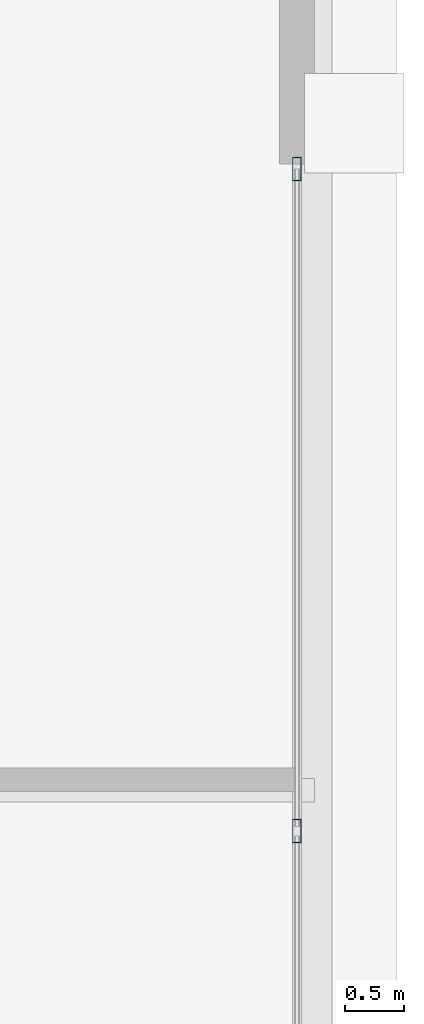
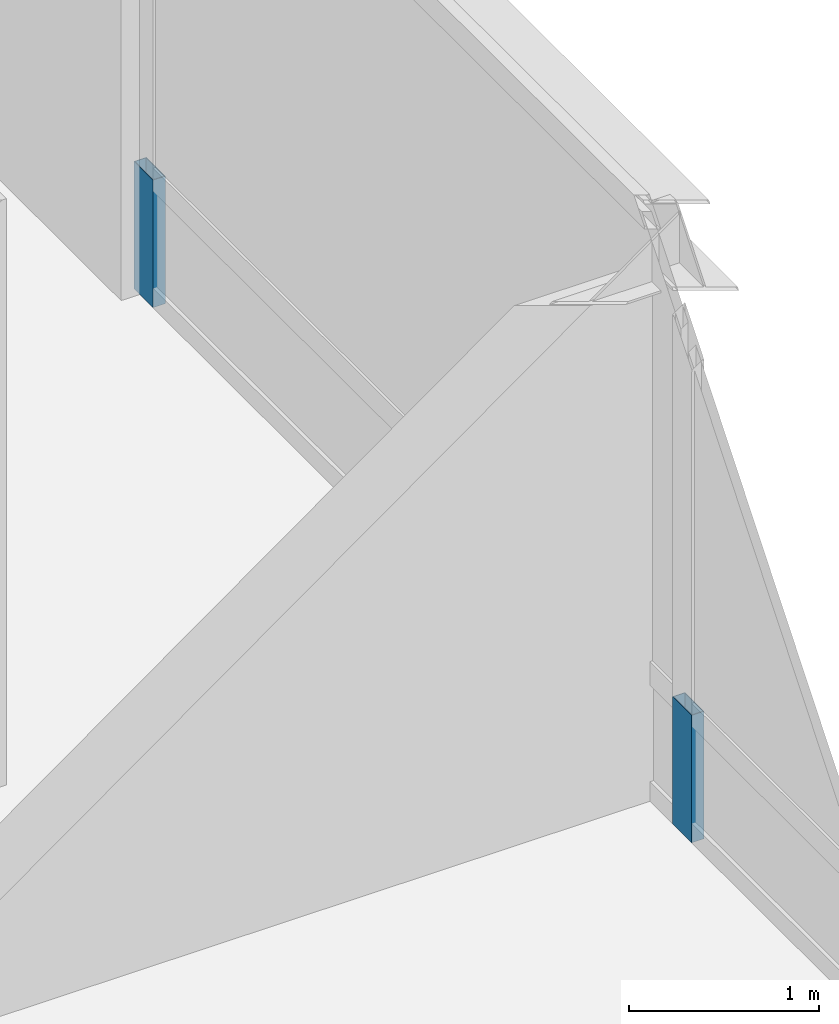
# One storey, part 26 of 34: 2 members, 1 element without a shape of its own.
"""IFC4 building model written with IfcOpenShell, lengths in metres."""

from ifc_helpers import new_model, si_unit, direction, frame, origin, origin_2d, place, context, subcontext, project, spatial, hollow_rectangle, extrude, source, transform, mapped, material, layer, layer_set, material_profile, profile_set, type_object, element, aggregate, save


model = new_model("IFC4")

# Units and contexts
model_context = context("Model", 3, precision=1e-05, world=origin(), true_north=direction((0.0, 1.0)))
body_context = subcontext(model_context, "Body", "Model", "MODEL_VIEW")
ifc_project = project(units=[si_unit("LENGTHUNIT", "METRE"), si_unit("AREAUNIT", "SQUARE_METRE"), si_unit("VOLUMEUNIT", "CUBIC_METRE"), si_unit("PLANEANGLEUNIT", "RADIAN"), si_unit("MASSUNIT", "GRAM", prefix="KILO"), si_unit("THERMODYNAMICTEMPERATUREUNIT", "KELVIN"), si_unit("POWERUNIT", "WATT")], contexts=[model_context])

# Site, building, storey
site_placement = place(None, origin())
site = spatial("IfcSite", under=ifc_project, at=site_placement, CompositionType="ELEMENT")
building_placement = place(site_placement, origin())
building = spatial("IfcBuilding", under=site, at=building_placement, Name="Yuzanri Waterfront Tower", CompositionType="ELEMENT")
storey_placement = place(building_placement, frame((0.0, 0.0, 339.199951171875)))
storey = spatial("IfcBuildingStorey", under=building, at=storey_placement, Name="L91", CompositionType="ELEMENT", Elevation=339.199951171875)

# Curtain wall, members
ifc_material_1 = material(Name="Anodized Architectural Bronze", Category="metal")
ifc_layer = layer(ifc_material_1, 0.159912109375)
ifc_layer_set = layer_set([ifc_layer], Name="Anodized Architectural Bronze")
curtain_wall_type = type_object("IfcCurtainWallType", Name="Anodized Bronze High-Rise Penthouse High-Wind Unitized Curtain Wall 6900", PredefinedType="NOTDEFINED", material=ifc_layer_set)
curtain_wall_placement = place(storey_placement, origin())
curtain_wall = element("IfcCurtainWall", 1, at=curtain_wall_placement, inside=storey, type_object=curtain_wall_type, Name="L91 Curtain Wall CW-L91-ER", PredefinedType="NOTDEFINED")
ifc_material_2 = material(Name="Anodized Architectural Bronze", Category="metal")
ifc_material_profile = material_profile(ifc_material_2, hollow_rectangle(XDim=0.074951171875, YDim=0.199951171875, WallThickness=0.00390625, at=origin_2d()), Name="CWM 75x200")
ifc_profile_set = profile_set([ifc_material_profile], Name="Anodized Architectural Bronze")
member_type = type_object("IfcMemberType", Name="Anodized Bronze Primary Curtain-Wall Mullion 75x200", PredefinedType="MULLION", material=ifc_profile_set)
shared_shape = source(origin(), body_context, "Body", "SweptSolid", [
    extrude(hollow_rectangle(XDim=0.074951171875, YDim=0.199951171875, WallThickness=0.00390625, at=origin_2d()), origin(), (0.0, 0.0, 1.0), 0.818115234375),
])
member_1_placement = place(storey_placement, frame((55.949951171875, 31.85009765625, 0.0), z_axis=(0.0, 0.0, 1.0), x_axis=(1.0, 0.0, 0.0)))
member_1 = element("IfcMember", 2, at=member_1_placement, type_object=member_type, Name="CW-L91-ER Lower Mullion 01", PredefinedType="MULLION", context=body_context, shape_type="MappedRepresentation", body=[
    mapped(shared_shape, transform((0.0, 0.0, 0.0), scale=1.0)),
])
member_2_placement = place(storey_placement, frame((55.949951171875, 37.510009765625, 0.0), z_axis=(0.0, 0.0, 1.0), x_axis=(1.0, 0.0, 0.0)))
member_2 = element("IfcMember", 3, at=member_2_placement, type_object=member_type, Name="CW-L91-ER Lower Mullion 02", PredefinedType="MULLION", context=body_context, shape_type="MappedRepresentation", body=[
    mapped(shared_shape, transform((0.0, 0.0, 0.0), scale=1.0)),
])
aggregate(curtain_wall, [member_1, member_2])

save(model, "model.ifc")
